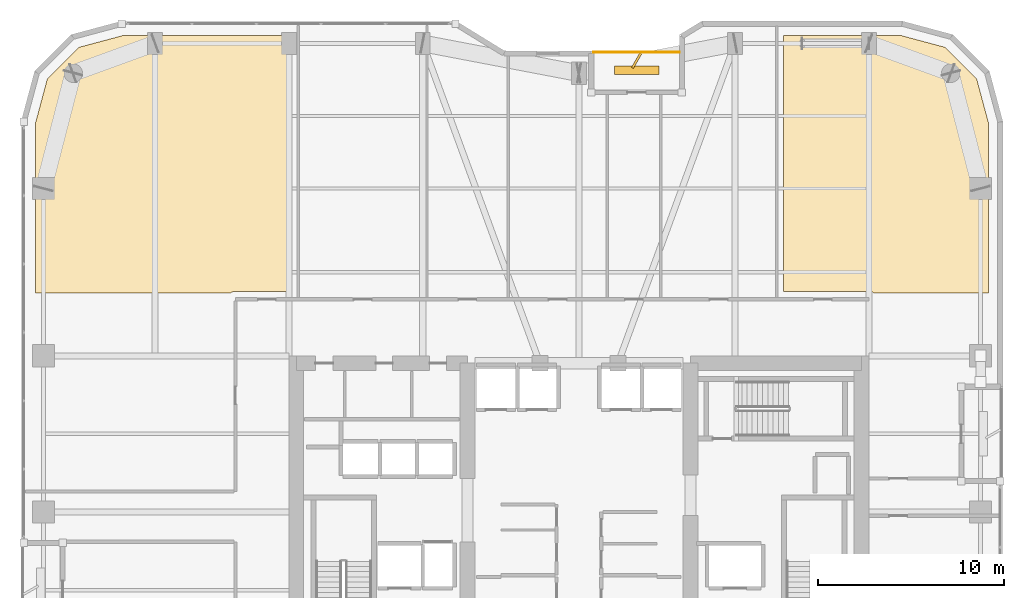
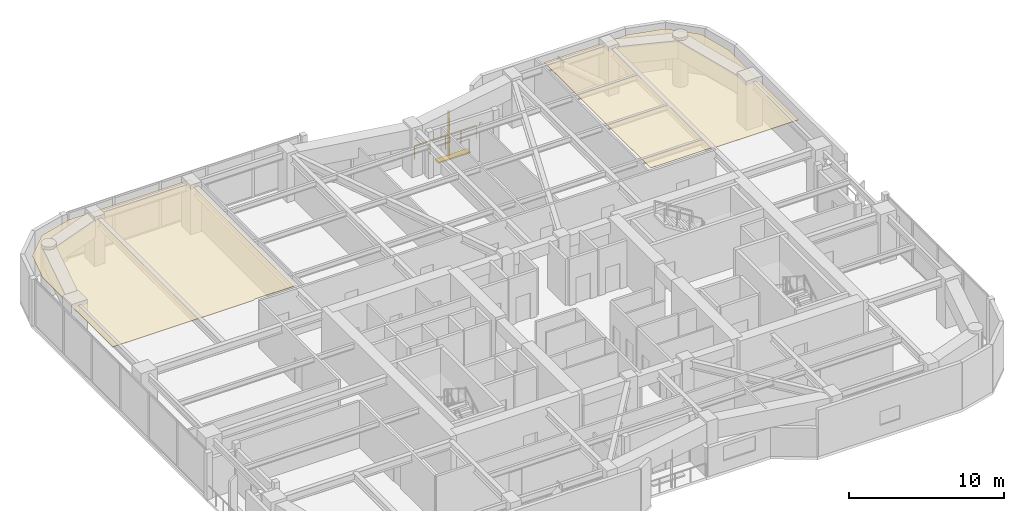
# One storey, part 30 of 30: 2 coverings, 2 shading devices, 1 railing.
"""IFC4 building model written with IfcOpenShell, lengths in metres."""

from ifc_helpers import new_model, si_unit, direction, frame, origin, origin_2d, place, context, subcontext, project, spatial, polyline, rectangle, outline, extrude, material, layer, layer_set, type_object, element, save


model = new_model("IFC4")

# Units and contexts
model_context = context("Model", 3, precision=1e-05, world=origin(), true_north=direction((0.0, 1.0)))
body_context = subcontext(model_context, "Body", "Model", "MODEL_VIEW")
ifc_project = project(units=[si_unit("LENGTHUNIT", "METRE"), si_unit("AREAUNIT", "SQUARE_METRE"), si_unit("VOLUMEUNIT", "CUBIC_METRE"), si_unit("PLANEANGLEUNIT", "RADIAN"), si_unit("MASSUNIT", "GRAM", prefix="KILO")], contexts=[model_context])

# Site, building, storey
site_placement = place(None, origin())
site = spatial("IfcSite", under=ifc_project, at=site_placement, CompositionType="ELEMENT")
building_placement = place(site_placement, origin())
building = spatial("IfcBuilding", under=site, at=building_placement, Name="Kiyonajd Concourse Tower", CompositionType="ELEMENT")
storey_placement = place(building_placement, frame((0.0, 0.0, 174.0)))
storey = spatial("IfcBuildingStorey", under=building, at=storey_placement, Name="L44", CompositionType="ELEMENT", Elevation=174.0)

# Coverings
ifc_material_1 = material(Name="Natural Oak Acoustic Timber Veneer", Category="wood")
ifc_layer = layer(ifc_material_1, 0.0400390625)
ifc_layer_set = layer_set([ifc_layer], Name="Natural Oak Acoustic Timber Veneer")
covering_type = type_object("IfcCoveringType", Name="CV-CLG-ACST", PredefinedType="CEILING", material=ifc_layer_set)
covering_1_placement = place(storey_placement, frame((0.0, 0.0, 3.5)))
element("IfcCovering", 1, at=covering_1_placement, inside=storey, type_object=covering_type, Name="L44-46 Room Acoustic Ceiling", PredefinedType="CEILING", context=body_context, shape_type="SweptSolid", body=[
    extrude(outline(polyline([(21.097900390625, 60.986083984375), (23.5009765625, 61.6298828125), (32.56005859375, 61.6298828125), (32.56005859375, 47.8701171875), (29.52490234375, 47.8701171875), (29.39501953125, 47.85009765625), (29.33203125, 47.823974609375), (29.277099609375, 47.7900390625), (18.77001953125, 47.7900390625), (18.77001953125, 56.89892578125), (19.4140625, 59.302001953125), (21.097900390625, 60.986083984375)])), origin(), (0.0, 0.0, 1.0), 0.0400390625),
])
covering_2_placement = place(storey_placement, frame((0.0, 0.0, 3.5)))
element("IfcCovering", 2, at=covering_2_placement, inside=storey, type_object=covering_type, Name="L44-52 Room Acoustic Ceiling", PredefinedType="CEILING", context=body_context, shape_type="SweptSolid", body=[
    extrude(outline(polyline([(63.847900390625, 47.7900390625), (63.79296875, 47.823974609375), (63.72998046875, 47.85009765625), (63.60009765625, 47.8701171875), (59.010009765625, 47.8701171875), (59.010009765625, 61.6298828125), (65.299072265625, 61.6298828125), (67.701904296875, 60.986083984375), (69.385986328125, 59.302001953125), (70.030029296875, 56.89892578125), (70.030029296875, 47.7900390625), (63.847900390625, 47.7900390625)])), origin(), (0.0, 0.0, 1.0), 0.0400390625),
])

# Railing
ifc_material_2 = material(Name="Thermally Broken Anodised Aluminium", Category="aluminium")
railing_type = type_object("IfcRailingType", Name="RL-GRD-LOG", PredefinedType="GUARDRAIL", material=ifc_material_2)
railing_placement = place(storey_placement, frame((53.39990234375, 60.719970703125, 0.0)))
element("IfcRailing", 3, at=railing_placement, inside=storey, type_object=railing_type, Name="L44 Engawa Loggia Perimeter Guard LOG-N", PredefinedType="GUARDRAIL", context=body_context, shape_type="SweptSolid", body=[
    extrude(rectangle(XDim=0.048095703125, YDim=0.048095703125, at=origin_2d()), frame((0.0, 0.0, 1.076171875), z_axis=(-1.0, 0.0, 0.0), x_axis=(0.0, -1.0, 0.0)), (0.0, 0.0, 1.0), 4.599853515625),
    extrude(rectangle(XDim=0.0419921875, YDim=0.0419921875, at=origin_2d()), origin(), (0.0, 0.0, 1.0), 1.052001953125),
    extrude(rectangle(XDim=0.0419921875, YDim=0.0419921875, at=origin_2d()), frame((-1.14990234375, 0.0, 0.0)), (0.0, 0.0, 1.0), 1.052001953125),
    extrude(rectangle(XDim=0.0419921875, YDim=0.0419921875, at=origin_2d()), frame((-2.2998046875, 0.0, 0.0)), (0.0, 0.0, 1.0), 1.052001953125),
    extrude(rectangle(XDim=0.0419921875, YDim=0.0419921875, at=origin_2d()), frame((-3.449951171875, 0.0, 0.0)), (0.0, 0.0, 1.0), 1.052001953125),
    extrude(rectangle(XDim=0.0419921875, YDim=0.0419921875, at=origin_2d()), frame((-4.599853515625, 0.0, 0.0)), (0.0, 0.0, 1.0), 1.052001953125),
])

# Shading devices
ifc_material_3 = material(Name="Precast concrete C50/60", Category="concrete")
shading_device_type_1 = type_object("IfcShadingDeviceType", Name="SH-FIN-900", PredefinedType="USERDEFINED", material=ifc_material_3)
shading_device_1_placement = place(storey_placement, frame((51.10009765625, 60.27001953125, 0.0), z_axis=(0.0, 0.0, 1.0), x_axis=(0.5, 0.866025403784, 0.0)))
element("IfcShadingDevice", 4, at=shading_device_1_placement, inside=storey, type_object=shading_device_type_1, Name="L44 Angled Koshi Solar Fin LOG-N", ObjectType="FIN", PredefinedType="USERDEFINED", context=body_context, shape_type="SweptSolid", body=[
    extrude(rectangle(XDim=0.89990234375, YDim=0.1201171875, at=origin_2d()), origin(), (0.0, 0.0, 1.0), 3.0),
])
shading_device_type_2 = type_object("IfcShadingDeviceType", Name="SH-LVR-600", PredefinedType="JALOUSIE", material=ifc_material_2)
shading_device_2_placement = place(storey_placement, frame((51.10009765625, 59.75, 0.0), z_axis=(0.0, 0.0, 1.0), x_axis=(1.0, 0.0, 0.0)))
element("IfcShadingDevice", 5, at=shading_device_2_placement, inside=storey, type_object=shading_device_type_2, Name="L44 Loggia Threshold Louver LOG-N", PredefinedType="JALOUSIE", context=body_context, shape_type="SweptSolid", body=[
    extrude(rectangle(XDim=2.39990234375, YDim=0.449951171875, at=origin_2d()), origin(), (0.0, 0.0, 1.0), 0.10009765625),
])

save(model, "model.ifc")
